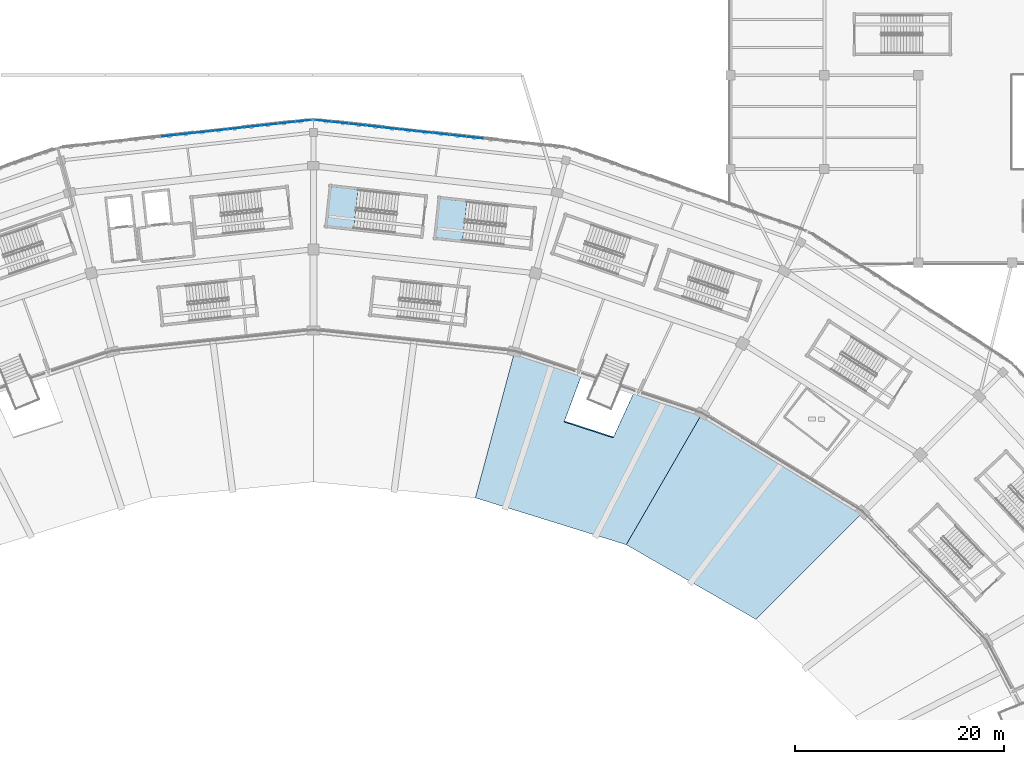
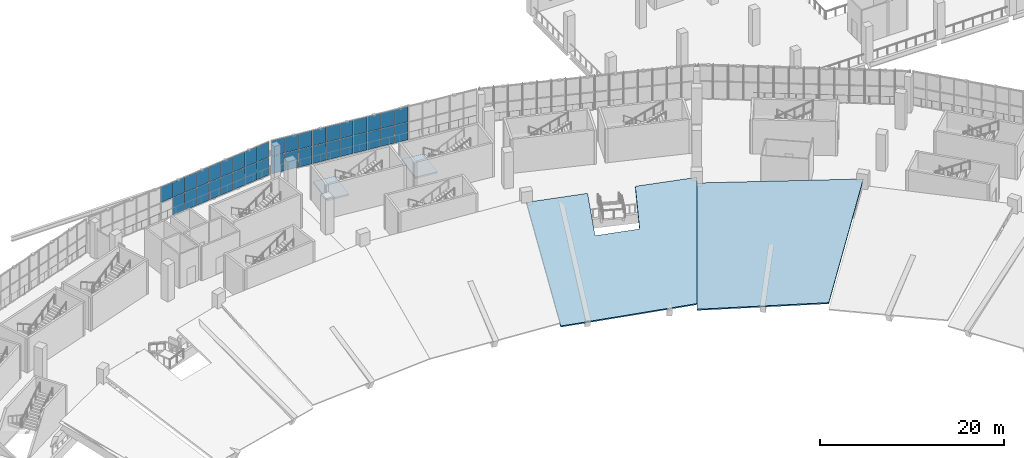
# One storey, part 92 of 183: 37 plates, 4 slabs, 4 elements without a shape of their own.
"""IFC4 building model written with IfcOpenShell, lengths in metres."""

from ifc_helpers import new_model, si_unit, direction, frame, origin, origin_2d, place, context, subcontext, project, spatial, polyline, rectangle, outline, extrude, material, layer, layer_set, type_object, element, aggregate, save


model = new_model("IFC4")

# Units and contexts
model_context = context("Model", 3, precision=1e-05, world=origin(), true_north=direction((0.0, 1.0)))
body_context = subcontext(model_context, "Body", "Model", "MODEL_VIEW")
ifc_project = project(units=[si_unit("LENGTHUNIT", "METRE"), si_unit("AREAUNIT", "SQUARE_METRE"), si_unit("VOLUMEUNIT", "CUBIC_METRE"), si_unit("PLANEANGLEUNIT", "RADIAN"), si_unit("MASSUNIT", "GRAM", prefix="KILO")], contexts=[model_context])

# Site, building, storey
site_placement = place(None, origin())
site = spatial("IfcSite", under=ifc_project, at=site_placement, CompositionType="ELEMENT")
building_placement = place(site_placement, origin())
building = spatial("IfcBuilding", under=site, at=building_placement, Name="Zevraka Park Crest Stadium", CompositionType="ELEMENT")
storey_placement = place(building_placement, frame((0.0, 0.0, 5.39990234375)))
storey = spatial("IfcBuildingStorey", under=building, at=storey_placement, Name="L01", CompositionType="ELEMENT", Elevation=5.39990234375)

# Curtain wall, plates
ifc_material_1 = material(Name="Anodised architectural aluminium and laminated safety glass", Category="aluminium")
curtain_wall_type = type_object("IfcCurtainWallType", Name="CW01", PredefinedType="NOTDEFINED", material=ifc_material_1)
curtain_wall_1_placement = place(storey_placement, origin())
curtain_wall_1 = element("IfcCurtainWall", 1, at=curtain_wall_1_placement, inside=storey, type_object=curtain_wall_type, Name="Unitised Ring Curtain Wall CW01 L01-05", PredefinedType="NOTDEFINED")
ifc_material_2 = material(Name="Solar-control laminated double glazing", Category="glass")
ifc_layer_1 = layer(ifc_material_2, 0.028076171875)
ifc_layer_set_1 = layer_set([ifc_layer_1], Name="Solar-control laminated double glazing")
plate_type = type_object("IfcPlateType", Name="CP01", PredefinedType="CURTAIN_PANEL", material=ifc_layer_set_1)
plate_1_placement = place(storey_placement, frame((127.493408203125, 170.002685546875, 0.06005859375), z_axis=(0.0, 0.0, 1.0), x_axis=(-0.993916668414, 0.110134718639, 0.0)))
plate_1 = element("IfcPlate", 2, at=plate_1_placement, type_object=plate_type, Name="CW01 panel 6.1", PredefinedType="CURTAIN_PANEL", context=body_context, shape_type="SweptSolid", body=[
    extrude(rectangle(XDim=1.567138671875, YDim=0.028076171875, at=origin_2d()), origin(), (0.0, 0.0, 1.0), 2.31005859375),
])
plate_2_placement = place(storey_placement, frame((127.493408203125, 170.002685546875, 2.43017578125), z_axis=(0.0, 0.0, 1.0), x_axis=(-0.993916668414, 0.110134718639, 0.0)))
plate_2 = element("IfcPlate", 3, at=plate_2_placement, type_object=plate_type, Name="CW01 panel 6.2", PredefinedType="CURTAIN_PANEL", context=body_context, shape_type="SweptSolid", body=[
    extrude(rectangle(XDim=1.567138671875, YDim=0.028076171875, at=origin_2d()), origin(), (0.0, 0.0, 1.0), 2.030029296875),
])
plate_3_placement = place(storey_placement, frame((125.876220703125, 170.181884765625, 0.06005859375), z_axis=(0.0, 0.0, 1.0), x_axis=(-0.993916668414, 0.110134718639, 0.0)))
plate_3 = element("IfcPlate", 4, at=plate_3_placement, type_object=plate_type, Name="CW01 panel 7.1", PredefinedType="CURTAIN_PANEL", context=body_context, shape_type="SweptSolid", body=[
    extrude(rectangle(XDim=1.567138671875, YDim=0.028076171875, at=origin_2d()), origin(), (0.0, 0.0, 1.0), 2.31005859375),
])
plate_4_placement = place(storey_placement, frame((125.876220703125, 170.181884765625, 2.43017578125), z_axis=(0.0, 0.0, 1.0), x_axis=(-0.993916668414, 0.110134718639, 0.0)))
plate_4 = element("IfcPlate", 5, at=plate_4_placement, type_object=plate_type, Name="CW01 panel 7.2", PredefinedType="CURTAIN_PANEL", context=body_context, shape_type="SweptSolid", body=[
    extrude(rectangle(XDim=1.567138671875, YDim=0.028076171875, at=origin_2d()), origin(), (0.0, 0.0, 1.0), 2.030029296875),
])
plate_5_placement = place(storey_placement, frame((124.259033203125, 170.361083984375, 0.06005859375), z_axis=(0.0, 0.0, 1.0), x_axis=(-0.993916668414, 0.110134718639, 0.0)))
plate_5 = element("IfcPlate", 6, at=plate_5_placement, type_object=plate_type, Name="CW01 panel 8.1", PredefinedType="CURTAIN_PANEL", context=body_context, shape_type="SweptSolid", body=[
    extrude(rectangle(XDim=1.567138671875, YDim=0.028076171875, at=origin_2d()), origin(), (0.0, 0.0, 1.0), 2.31005859375),
])
plate_6_placement = place(storey_placement, frame((124.259033203125, 170.361083984375, 2.43017578125), z_axis=(0.0, 0.0, 1.0), x_axis=(-0.993916668414, 0.110134718639, 0.0)))
plate_6 = element("IfcPlate", 7, at=plate_6_placement, type_object=plate_type, Name="CW01 panel 8.2", PredefinedType="CURTAIN_PANEL", context=body_context, shape_type="SweptSolid", body=[
    extrude(rectangle(XDim=1.567138671875, YDim=0.028076171875, at=origin_2d()), origin(), (0.0, 0.0, 1.0), 2.030029296875),
])
plate_7_placement = place(storey_placement, frame((122.641845703125, 170.540283203125, 0.06005859375), z_axis=(0.0, 0.0, 1.0), x_axis=(-0.993916668414, 0.110134718639, 0.0)))
plate_7 = element("IfcPlate", 8, at=plate_7_placement, type_object=plate_type, Name="CW01 panel 9.1", PredefinedType="CURTAIN_PANEL", context=body_context, shape_type="SweptSolid", body=[
    extrude(rectangle(XDim=1.567138671875, YDim=0.028076171875, at=origin_2d()), origin(), (0.0, 0.0, 1.0), 2.31005859375),
])
plate_8_placement = place(storey_placement, frame((122.641845703125, 170.540283203125, 2.43017578125), z_axis=(0.0, 0.0, 1.0), x_axis=(-0.993916668414, 0.110134718639, 0.0)))
plate_8 = element("IfcPlate", 9, at=plate_8_placement, type_object=plate_type, Name="CW01 panel 9.2", PredefinedType="CURTAIN_PANEL", context=body_context, shape_type="SweptSolid", body=[
    extrude(rectangle(XDim=1.567138671875, YDim=0.028076171875, at=origin_2d()), origin(), (0.0, 0.0, 1.0), 2.030029296875),
])
plate_9_placement = place(storey_placement, frame((121.024658203125, 170.719482421875, 0.06005859375), z_axis=(0.0, 0.0, 1.0), x_axis=(-0.993916668414, 0.110134718639, 0.0)))
plate_9 = element("IfcPlate", 10, at=plate_9_placement, type_object=plate_type, Name="CW01 panel 10.1", PredefinedType="CURTAIN_PANEL", context=body_context, shape_type="SweptSolid", body=[
    extrude(rectangle(XDim=1.567138671875, YDim=0.028076171875, at=origin_2d()), origin(), (0.0, 0.0, 1.0), 2.31005859375),
])
plate_10_placement = place(storey_placement, frame((121.024658203125, 170.719482421875, 2.43017578125), z_axis=(0.0, 0.0, 1.0), x_axis=(-0.993916668414, 0.110134718639, 0.0)))
plate_10 = element("IfcPlate", 11, at=plate_10_placement, type_object=plate_type, Name="CW01 panel 10.2", PredefinedType="CURTAIN_PANEL", context=body_context, shape_type="SweptSolid", body=[
    extrude(rectangle(XDim=1.567138671875, YDim=0.028076171875, at=origin_2d()), origin(), (0.0, 0.0, 1.0), 2.030029296875),
])
plate_11_placement = place(storey_placement, frame((119.407470703125, 170.898681640625, 0.06005859375), z_axis=(0.0, 0.0, 1.0), x_axis=(-0.993916668414, 0.110134718639, 0.0)))
plate_11 = element("IfcPlate", 12, at=plate_11_placement, type_object=plate_type, Name="CW01 panel 11.1", PredefinedType="CURTAIN_PANEL", context=body_context, shape_type="SweptSolid", body=[
    extrude(rectangle(XDim=1.567138671875, YDim=0.028076171875, at=origin_2d()), origin(), (0.0, 0.0, 1.0), 2.31005859375),
])
plate_12_placement = place(storey_placement, frame((119.407470703125, 170.898681640625, 2.43017578125), z_axis=(0.0, 0.0, 1.0), x_axis=(-0.993916668414, 0.110134718639, 0.0)))
plate_12 = element("IfcPlate", 13, at=plate_12_placement, type_object=plate_type, Name="CW01 panel 11.2", PredefinedType="CURTAIN_PANEL", context=body_context, shape_type="SweptSolid", body=[
    extrude(rectangle(XDim=1.567138671875, YDim=0.028076171875, at=origin_2d()), origin(), (0.0, 0.0, 1.0), 2.030029296875),
])
plate_13_placement = place(storey_placement, frame((117.790283203125, 171.077880859375, 0.06005859375), z_axis=(0.0, 0.0, 1.0), x_axis=(-0.993916668414, 0.110134718639, 0.0)))
plate_13 = element("IfcPlate", 14, at=plate_13_placement, type_object=plate_type, Name="CW01 panel 12.1", PredefinedType="CURTAIN_PANEL", context=body_context, shape_type="SweptSolid", body=[
    extrude(rectangle(XDim=1.567138671875, YDim=0.028076171875, at=origin_2d()), origin(), (0.0, 0.0, 1.0), 2.31005859375),
])
plate_14_placement = place(storey_placement, frame((117.790283203125, 171.077880859375, 2.43017578125), z_axis=(0.0, 0.0, 1.0), x_axis=(-0.993916668414, 0.110134718639, 0.0)))
plate_14 = element("IfcPlate", 15, at=plate_14_placement, type_object=plate_type, Name="CW01 panel 12.2", PredefinedType="CURTAIN_PANEL", context=body_context, shape_type="SweptSolid", body=[
    extrude(rectangle(XDim=1.567138671875, YDim=0.028076171875, at=origin_2d()), origin(), (0.0, 0.0, 1.0), 2.030029296875),
])
plate_15_placement = place(storey_placement, frame((116.173095703125, 171.257080078125, 0.06005859375), z_axis=(0.0, 0.0, 1.0), x_axis=(-0.993916668414, 0.110134718639, 0.0)))
plate_15 = element("IfcPlate", 16, at=plate_15_placement, type_object=plate_type, Name="CW01 panel 13.1", PredefinedType="CURTAIN_PANEL", context=body_context, shape_type="SweptSolid", body=[
    extrude(rectangle(XDim=1.567138671875, YDim=0.028076171875, at=origin_2d()), origin(), (0.0, 0.0, 1.0), 2.31005859375),
])
plate_16_placement = place(storey_placement, frame((116.173095703125, 171.257080078125, 2.43017578125), z_axis=(0.0, 0.0, 1.0), x_axis=(-0.993916668414, 0.110134718639, 0.0)))
plate_16 = element("IfcPlate", 17, at=plate_16_placement, type_object=plate_type, Name="CW01 panel 13.2", PredefinedType="CURTAIN_PANEL", context=body_context, shape_type="SweptSolid", body=[
    extrude(rectangle(XDim=1.567138671875, YDim=0.028076171875, at=origin_2d()), origin(), (0.0, 0.0, 1.0), 2.030029296875),
])
plate_17_placement = place(storey_placement, frame((114.555908203125, 171.436279296875, 0.06005859375), z_axis=(0.0, 0.0, 1.0), x_axis=(-0.993916668414, 0.110134718639, 0.0)))
plate_17 = element("IfcPlate", 18, at=plate_17_placement, type_object=plate_type, Name="CW01 panel 14.1", PredefinedType="CURTAIN_PANEL", context=body_context, shape_type="SweptSolid", body=[
    extrude(rectangle(XDim=1.567138671875, YDim=0.028076171875, at=origin_2d()), origin(), (0.0, 0.0, 1.0), 2.31005859375),
])
plate_18_placement = place(storey_placement, frame((114.555908203125, 171.436279296875, 2.43017578125), z_axis=(0.0, 0.0, 1.0), x_axis=(-0.993916668414, 0.110134718639, 0.0)))
plate_18 = element("IfcPlate", 19, at=plate_18_placement, type_object=plate_type, Name="CW01 panel 14.2", PredefinedType="CURTAIN_PANEL", context=body_context, shape_type="SweptSolid", body=[
    extrude(rectangle(XDim=1.567138671875, YDim=0.028076171875, at=origin_2d()), origin(), (0.0, 0.0, 1.0), 2.030029296875),
])
plate_19_placement = place(storey_placement, frame((112.95361328125, 171.61376953125, 0.06005859375), z_axis=(0.0, 0.0, 1.0), x_axis=(-0.993916668414, 0.110134718639, 0.0)))
plate_19 = element("IfcPlate", 20, at=plate_19_placement, type_object=plate_type, Name="CW01 panel 15.1", PredefinedType="CURTAIN_PANEL", context=body_context, shape_type="SweptSolid", body=[
    extrude(rectangle(XDim=1.537109375, YDim=0.028076171875, at=origin_2d()), origin(), (0.0, 0.0, 1.0), 2.31005859375),
])
plate_20_placement = place(storey_placement, frame((112.95361328125, 171.61376953125, 2.43017578125), z_axis=(0.0, 0.0, 1.0), x_axis=(-0.993916668414, 0.110134718639, 0.0)))
plate_20 = element("IfcPlate", 21, at=plate_20_placement, type_object=plate_type, Name="CW01 panel 15.2", PredefinedType="CURTAIN_PANEL", context=body_context, shape_type="SweptSolid", body=[
    extrude(rectangle(XDim=1.537109375, YDim=0.028076171875, at=origin_2d()), origin(), (0.0, 0.0, 1.0), 2.030029296875),
])
aggregate(curtain_wall_1, [plate_1, plate_2, plate_3, plate_4, plate_5, plate_6, plate_7, plate_8, plate_9, plate_10, plate_11, plate_12, plate_13, plate_14, plate_15, plate_16, plate_17, plate_18, plate_19, plate_20])

curtain_wall_2_placement = place(storey_placement, origin())
curtain_wall_2 = element("IfcCurtainWall", 22, at=curtain_wall_2_placement, inside=storey, type_object=curtain_wall_type, Name="Unitised Ring Curtain Wall CW01 L01-06", PredefinedType="NOTDEFINED")
plate_21_placement = place(storey_placement, frame((111.04638671875, 171.61376953125, 0.06005859375), z_axis=(0.0, 0.0, 1.0), x_axis=(-0.993916668414, -0.110134718639, 0.0)))
plate_21 = element("IfcPlate", 23, at=plate_21_placement, type_object=plate_type, Name="CW01 panel 1.1", PredefinedType="CURTAIN_PANEL", context=body_context, shape_type="SweptSolid", body=[
    extrude(rectangle(XDim=1.537109375, YDim=0.028076171875, at=origin_2d()), origin(), (0.0, 0.0, 1.0), 2.31005859375),
])
plate_22_placement = place(storey_placement, frame((111.04638671875, 171.61376953125, 2.43017578125), z_axis=(0.0, 0.0, 1.0), x_axis=(-0.993916668414, -0.110134718639, 0.0)))
plate_22 = element("IfcPlate", 24, at=plate_22_placement, type_object=plate_type, Name="CW01 panel 1.2", PredefinedType="CURTAIN_PANEL", context=body_context, shape_type="SweptSolid", body=[
    extrude(rectangle(XDim=1.537109375, YDim=0.028076171875, at=origin_2d()), origin(), (0.0, 0.0, 1.0), 2.030029296875),
])
plate_23_placement = place(storey_placement, frame((109.444091796875, 171.436279296875, 0.06005859375), z_axis=(0.0, 0.0, 1.0), x_axis=(-0.993916668414, -0.110134718639, 0.0)))
plate_23 = element("IfcPlate", 25, at=plate_23_placement, type_object=plate_type, Name="CW01 panel 2.1", PredefinedType="CURTAIN_PANEL", context=body_context, shape_type="SweptSolid", body=[
    extrude(rectangle(XDim=1.567138671875, YDim=0.028076171875, at=origin_2d()), origin(), (0.0, 0.0, 1.0), 2.31005859375),
])
plate_24_placement = place(storey_placement, frame((109.444091796875, 171.436279296875, 2.43017578125), z_axis=(0.0, 0.0, 1.0), x_axis=(-0.993916668414, -0.110134718639, 0.0)))
plate_24 = element("IfcPlate", 26, at=plate_24_placement, type_object=plate_type, Name="CW01 panel 2.2", PredefinedType="CURTAIN_PANEL", context=body_context, shape_type="SweptSolid", body=[
    extrude(rectangle(XDim=1.567138671875, YDim=0.028076171875, at=origin_2d()), origin(), (0.0, 0.0, 1.0), 2.030029296875),
])
plate_25_placement = place(storey_placement, frame((107.826904296875, 171.257080078125, 0.06005859375), z_axis=(0.0, 0.0, 1.0), x_axis=(-0.993916668414, -0.110134718639, 0.0)))
plate_25 = element("IfcPlate", 27, at=plate_25_placement, type_object=plate_type, Name="CW01 panel 3.1", PredefinedType="CURTAIN_PANEL", context=body_context, shape_type="SweptSolid", body=[
    extrude(rectangle(XDim=1.567138671875, YDim=0.028076171875, at=origin_2d()), origin(), (0.0, 0.0, 1.0), 2.31005859375),
])
plate_26_placement = place(storey_placement, frame((107.826904296875, 171.257080078125, 2.43017578125), z_axis=(0.0, 0.0, 1.0), x_axis=(-0.993916668414, -0.110134718639, 0.0)))
plate_26 = element("IfcPlate", 28, at=plate_26_placement, type_object=plate_type, Name="CW01 panel 3.2", PredefinedType="CURTAIN_PANEL", context=body_context, shape_type="SweptSolid", body=[
    extrude(rectangle(XDim=1.567138671875, YDim=0.028076171875, at=origin_2d()), origin(), (0.0, 0.0, 1.0), 2.030029296875),
])
plate_27_placement = place(storey_placement, frame((106.209716796875, 171.077880859375, 0.06005859375), z_axis=(0.0, 0.0, 1.0), x_axis=(-0.993916668414, -0.110134718639, 0.0)))
plate_27 = element("IfcPlate", 29, at=plate_27_placement, type_object=plate_type, Name="CW01 panel 4.1", PredefinedType="CURTAIN_PANEL", context=body_context, shape_type="SweptSolid", body=[
    extrude(rectangle(XDim=1.567138671875, YDim=0.028076171875, at=origin_2d()), origin(), (0.0, 0.0, 1.0), 2.31005859375),
])
plate_28_placement = place(storey_placement, frame((106.209716796875, 171.077880859375, 2.43017578125), z_axis=(0.0, 0.0, 1.0), x_axis=(-0.993916668414, -0.110134718639, 0.0)))
plate_28 = element("IfcPlate", 30, at=plate_28_placement, type_object=plate_type, Name="CW01 panel 4.2", PredefinedType="CURTAIN_PANEL", context=body_context, shape_type="SweptSolid", body=[
    extrude(rectangle(XDim=1.567138671875, YDim=0.028076171875, at=origin_2d()), origin(), (0.0, 0.0, 1.0), 2.030029296875),
])
plate_29_placement = place(storey_placement, frame((104.592529296875, 170.898681640625, 0.06005859375), z_axis=(0.0, 0.0, 1.0), x_axis=(-0.993916668414, -0.110134718639, 0.0)))
plate_29 = element("IfcPlate", 31, at=plate_29_placement, type_object=plate_type, Name="CW01 panel 5.1", PredefinedType="CURTAIN_PANEL", context=body_context, shape_type="SweptSolid", body=[
    extrude(rectangle(XDim=1.567138671875, YDim=0.028076171875, at=origin_2d()), origin(), (0.0, 0.0, 1.0), 2.31005859375),
])
plate_30_placement = place(storey_placement, frame((104.592529296875, 170.898681640625, 2.43017578125), z_axis=(0.0, 0.0, 1.0), x_axis=(-0.993916668414, -0.110134718639, 0.0)))
plate_30 = element("IfcPlate", 32, at=plate_30_placement, type_object=plate_type, Name="CW01 panel 5.2", PredefinedType="CURTAIN_PANEL", context=body_context, shape_type="SweptSolid", body=[
    extrude(rectangle(XDim=1.567138671875, YDim=0.028076171875, at=origin_2d()), origin(), (0.0, 0.0, 1.0), 2.030029296875),
])
plate_31_placement = place(storey_placement, frame((102.975341796875, 170.719482421875, 0.06005859375), z_axis=(0.0, 0.0, 1.0), x_axis=(-0.993916668414, -0.110134718639, 0.0)))
plate_31 = element("IfcPlate", 33, at=plate_31_placement, type_object=plate_type, Name="CW01 panel 6.1", PredefinedType="CURTAIN_PANEL", context=body_context, shape_type="SweptSolid", body=[
    extrude(rectangle(XDim=1.567138671875, YDim=0.028076171875, at=origin_2d()), origin(), (0.0, 0.0, 1.0), 2.31005859375),
])
plate_32_placement = place(storey_placement, frame((102.975341796875, 170.719482421875, 2.43017578125), z_axis=(0.0, 0.0, 1.0), x_axis=(-0.993916668414, -0.110134718639, 0.0)))
plate_32 = element("IfcPlate", 34, at=plate_32_placement, type_object=plate_type, Name="CW01 panel 6.2", PredefinedType="CURTAIN_PANEL", context=body_context, shape_type="SweptSolid", body=[
    extrude(rectangle(XDim=1.567138671875, YDim=0.028076171875, at=origin_2d()), origin(), (0.0, 0.0, 1.0), 2.030029296875),
])
plate_33_placement = place(storey_placement, frame((101.358154296875, 170.540283203125, 0.06005859375), z_axis=(0.0, 0.0, 1.0), x_axis=(-0.993916668414, -0.110134718639, 0.0)))
plate_33 = element("IfcPlate", 35, at=plate_33_placement, type_object=plate_type, Name="CW01 panel 7.1", PredefinedType="CURTAIN_PANEL", context=body_context, shape_type="SweptSolid", body=[
    extrude(rectangle(XDim=1.567138671875, YDim=0.028076171875, at=origin_2d()), origin(), (0.0, 0.0, 1.0), 2.31005859375),
])
plate_34_placement = place(storey_placement, frame((101.358154296875, 170.540283203125, 2.43017578125), z_axis=(0.0, 0.0, 1.0), x_axis=(-0.993916668414, -0.110134718639, 0.0)))
plate_34 = element("IfcPlate", 36, at=plate_34_placement, type_object=plate_type, Name="CW01 panel 7.2", PredefinedType="CURTAIN_PANEL", context=body_context, shape_type="SweptSolid", body=[
    extrude(rectangle(XDim=1.567138671875, YDim=0.028076171875, at=origin_2d()), origin(), (0.0, 0.0, 1.0), 2.030029296875),
])
plate_35_placement = place(storey_placement, frame((99.740966796875, 170.361083984375, 0.06005859375), z_axis=(0.0, 0.0, 1.0), x_axis=(-0.993916668414, -0.110134718639, 0.0)))
plate_35 = element("IfcPlate", 37, at=plate_35_placement, type_object=plate_type, Name="CW01 panel 8.1", PredefinedType="CURTAIN_PANEL", context=body_context, shape_type="SweptSolid", body=[
    extrude(rectangle(XDim=1.567138671875, YDim=0.028076171875, at=origin_2d()), origin(), (0.0, 0.0, 1.0), 2.31005859375),
])
plate_36_placement = place(storey_placement, frame((99.740966796875, 170.361083984375, 2.43017578125), z_axis=(0.0, 0.0, 1.0), x_axis=(-0.993916668414, -0.110134718639, 0.0)))
plate_36 = element("IfcPlate", 38, at=plate_36_placement, type_object=plate_type, Name="CW01 panel 8.2", PredefinedType="CURTAIN_PANEL", context=body_context, shape_type="SweptSolid", body=[
    extrude(rectangle(XDim=1.567138671875, YDim=0.028076171875, at=origin_2d()), origin(), (0.0, 0.0, 1.0), 2.030029296875),
])
plate_37_placement = place(storey_placement, frame((98.123779296875, 170.181884765625, 2.43017578125), z_axis=(0.0, 0.0, 1.0), x_axis=(-0.993916668414, -0.110134718639, 0.0)))
plate_37 = element("IfcPlate", 39, at=plate_37_placement, type_object=plate_type, Name="CW01 panel 9.2", PredefinedType="CURTAIN_PANEL", context=body_context, shape_type="SweptSolid", body=[
    extrude(rectangle(XDim=1.567138671875, YDim=0.028076171875, at=origin_2d()), origin(), (0.0, 0.0, 1.0), 2.030029296875),
])
aggregate(curtain_wall_2, [plate_21, plate_22, plate_23, plate_24, plate_25, plate_26, plate_27, plate_28, plate_29, plate_30, plate_31, plate_32, plate_33, plate_34, plate_35, plate_36, plate_37])

# Stair, slab
ifc_material_3 = material(Name="Concrete C35/45", Category="concrete")
stair_type = type_object("IfcStairType", Name="STA2", PredefinedType="HALF_TURN_STAIR", material=ifc_material_3)
stair_1_placement = place(storey_placement, origin())
stair_1 = element("IfcStair", 40, at=stair_1_placement, inside=storey, type_object=stair_type, Name="L01 Protected Concourse Exit Stair ST06", PredefinedType="HALF_TURN_STAIR")
ifc_material_4 = material(Name="Concrete C35/45", Category="concrete")
ifc_layer_2 = layer(ifc_material_4, 0.199951171875)
ifc_layer_set_2 = layer_set([ifc_layer_2], Name="Concrete C35/45")
slab_type_1 = type_object("IfcSlabType", Name="LS01", PredefinedType="LANDING", material=ifc_layer_set_2)
slab_1_placement = place(storey_placement, frame((0.0, 0.0, 2.2001953125)))
slab_1 = element("IfcSlab", 41, at=slab_1_placement, type_object=slab_type_1, Name="ST06 landing 1", PredefinedType="LANDING", context=body_context, shape_type="SweptSolid", body=[
    extrude(outline(polyline([(126.725830078125, 163.887939453125), (124.131103515625, 164.17041015625), (123.724365234375, 160.432373046875), (126.31884765625, 160.14990234375), (126.725830078125, 163.887939453125)])), origin(), (0.0, 0.0, 1.0), 0.199951171875),
])
aggregate(stair_1, [slab_1])

stair_2_placement = place(storey_placement, origin())
stair_2 = element("IfcStair", 42, at=stair_2_placement, inside=storey, type_object=stair_type, Name="L01 Protected Paired Concourse Exit Stair ST26", PredefinedType="HALF_TURN_STAIR")
slab_2_placement = place(storey_placement, frame((0.0, 0.0, 2.2001953125)))
slab_2 = element("IfcSlab", 43, at=slab_2_placement, type_object=slab_type_1, Name="ST26 landing 1", PredefinedType="LANDING", context=body_context, shape_type="SweptSolid", body=[
    extrude(outline(polyline([(116.287841796875, 165.02392578125), (113.693115234375, 165.306396484375), (113.286376953125, 161.568359375), (115.880859375, 161.285888671875), (116.287841796875, 165.02392578125)])), origin(), (0.0, 0.0, 1.0), 0.199951171875),
])
aggregate(stair_2, [slab_2])

# Slabs
ifc_material_5 = material(Name="Concrete C35/45", Category="concrete")
ifc_layer_3 = layer(ifc_material_5, 0.25)
ifc_layer_set_3 = layer_set([ifc_layer_3], Name="Concrete C35/45")
slab_type_2 = type_object("IfcSlabType", Name="STL1", PredefinedType="USERDEFINED", material=ifc_layer_set_3)
slab_3_placement = place(storey_placement, frame((154.426025390625, 123.820068359375, -2.765869140625), z_axis=(-0.253986817766, -0.331008638515, 0.90880359684), x_axis=(-0.865142273131, 0.497870353096, -0.060447983836)))
element("IfcSlab", 44, at=slab_3_placement, inside=storey, type_object=slab_type_2, Name="Lower Tier Raked Seating Slab 03", ObjectType="SEATING TIER", PredefinedType="USERDEFINED", context=body_context, shape_type="SweptSolid", body=[
    extrude(outline(polyline([(0.0, 0.0), (14.362969225646921, 2.7755575615628914e-16), (13.944033552955927, -15.926528025140566), (-4.164561010938172, -15.377243978186552), (0.0, 0.0)])), origin(), (0.0, 0.0, -1.0), 0.25),
])
slab_4_placement = place(storey_placement, frame((142.0, 130.970947265625, -2.88232421875), z_axis=(-0.159657844847, -0.38546840935, 0.908803321941), x_axis=(-0.954130821323, 0.296445845259, -0.041883608131)))
element("IfcSlab", 45, at=slab_4_placement, inside=storey, type_object=slab_type_2, Name="Lower Tier Raked Seating Slab 04", ObjectType="SEATING TIER", PredefinedType="USERDEFINED", context=body_context, shape_type="SweptSolid", body=[
    extrude(outline(polyline([(0.0, 0.0), (15.166631837628906, -3.885780586188048e-16), (15.461399095155633, -15.928583011748259), (8.646120622541984, -15.791827755735076), (9.006856531920137, -10.422296521120057), (4.063309641911404, -10.352900012660008), (3.344182079204482, -15.686176936828822), (-3.471086167918901, -15.549320333844259), (0.0, 0.0)])), origin(), (0.0, 0.0, -1.0), 0.25),
])

save(model, "model.ifc")
